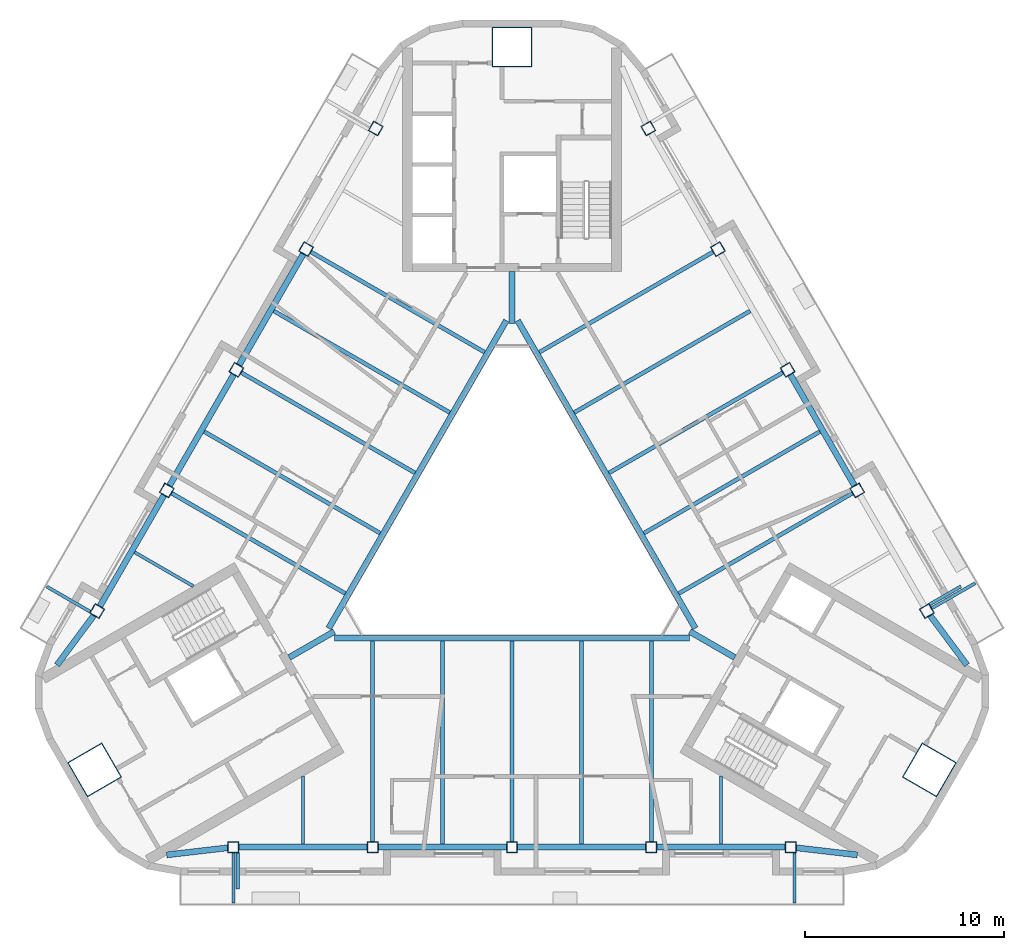
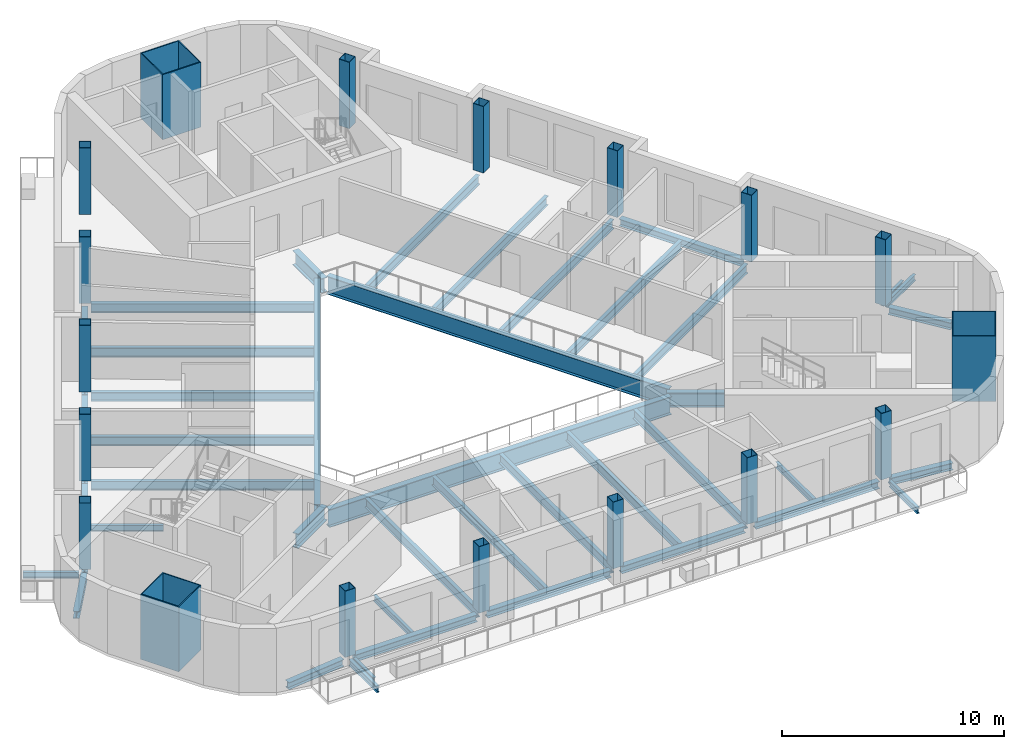
# One storey, part 1 of 12: 42 beams, 18 columns.
"""IFC4 building model written with IfcOpenShell, lengths in metres."""

from ifc_helpers import new_model, si_unit, direction, frame, origin, origin_2d, place, context, subcontext, project, spatial, rectangle, hollow_rectangle, i_section, extrude, boolean, halfspace, material, material_profile, profile_set, type_object, element, save


model = new_model("IFC4")

# Units and contexts
model_context = context("Model", 3, precision=1e-05, world=origin(), true_north=direction((0.0, 1.0)))
body_context = subcontext(model_context, "Body", "Model", "MODEL_VIEW")
ifc_project = project(units=[si_unit("LENGTHUNIT", "METRE"), si_unit("AREAUNIT", "SQUARE_METRE"), si_unit("VOLUMEUNIT", "CUBIC_METRE"), si_unit("PLANEANGLEUNIT", "RADIAN"), si_unit("MASSUNIT", "GRAM", prefix="KILO")], contexts=[model_context])

# Site, building, storey
site_placement = place(None, origin())
site = spatial("IfcSite", under=ifc_project, at=site_placement, CompositionType="ELEMENT")
building_placement = place(site_placement, origin())
building = spatial("IfcBuilding", under=site, at=building_placement, Name="Apuvela Tower Hotel", CompositionType="ELEMENT")
storey_placement = place(building_placement, frame((0.0, 0.0, 294.800048828125)))
storey = spatial("IfcBuildingStorey", under=building, at=storey_placement, Name="L73", CompositionType="ELEMENT", Elevation=294.800048828125)

# Columns
ifc_material_1 = material(Name="Steel S460", Category="steel")
ifc_material_profile_1 = material_profile(ifc_material_1, hollow_rectangle(XDim=2.0, YDim=2.0, WallThickness=0.050048828125, at=origin_2d()), Name="BOX 2000x2000x50")
ifc_material_2 = material(Name="Concrete C80/95", Category="concrete")
ifc_material_profile_2 = material_profile(ifc_material_2, rectangle(XDim=1.89990234375, YDim=1.89990234375, at=origin_2d()), Name="Concrete C80/95 infill")
ifc_profile_set_1 = profile_set([ifc_material_profile_1, ifc_material_profile_2], Name="Steel S460")
column_type_1 = type_object("IfcColumnType", Name="STR-MC mega column BOX 2000x2000x50", PredefinedType="COLUMN", material=ifc_profile_set_1)
for number, where, z_axis, x_axis, name in (
    (1, (0.0, 24.175048828125, 0.0), (0.0, 0.0, 1.0), (1.0, 0.0, 0.0), "Mega column MC4 N"),
    (2, (-20.936279296875, -12.08740234375, 0.0), (0.0, 0.0, 1.0), (-0.5, 0.866025403784, 0.0), "Mega column MC4 SW"),
    (3, (20.936279296875, -12.08740234375, 0.0), (0.0, 0.0, 1.0), (0.5, 0.866025403784, 0.0), "Mega column MC4 SE"),
):
    element("IfcColumn", number, at=place(storey_placement, frame(where, z_axis=z_axis, x_axis=x_axis)), inside=storey, type_object=column_type_1, Name=name, PredefinedType="COLUMN", context=body_context, shape_type="SweptSolid", body=[
        boolean("DIFFERENCE", extrude(hollow_rectangle(XDim=2.0, YDim=2.0, WallThickness=0.050048828125, at=origin_2d()), origin(), (0.0, 0.0, 1.0), 3.699951171875), halfspace(frame((0.0, 0.0, 3.586669921875), z_axis=(0.0, 0.0, 1.0), x_axis=(1.0, 0.0, 0.0)), False)),
    ])
ifc_material_profile_3 = material_profile(ifc_material_1, hollow_rectangle(XDim=0.550048828125, YDim=0.550048828125, WallThickness=0.02490234375, at=origin_2d()), Name="BOX 550x550x25")
ifc_material_profile_4 = material_profile(ifc_material_2, rectangle(XDim=0.5, YDim=0.5, at=origin_2d()), Name="Concrete C80/95 infill")
ifc_profile_set_2 = profile_set([ifc_material_profile_3, ifc_material_profile_4], Name="Steel S460")
column_type_2 = type_object("IfcColumnType", Name="STR-PC perimeter column BOX 550x550x25", PredefinedType="COLUMN", material=ifc_profile_set_2)
column_1_placement = place(storey_placement, frame((-13.97412109375, -15.961669921875, 0.0), z_axis=(0.0, 0.0, 1.0), x_axis=(-1.0, 0.0, 0.0)))
element("IfcColumn", 4, at=column_1_placement, inside=storey, type_object=column_type_2, Name="Perimeter column C7 S1", PredefinedType="COLUMN", context=body_context, shape_type="SweptSolid", body=[
    boolean("DIFFERENCE", extrude(hollow_rectangle(XDim=0.550048828125, YDim=0.550048828125, WallThickness=0.02490234375, at=origin_2d()), origin(), (0.0, 0.0, 1.0), 3.699951171875), halfspace(frame((0.0, 0.0, 3.66015625), z_axis=(0.0, 0.0, 1.0), x_axis=(1.0, 0.0, 0.0)), False)),
])
column_2_placement = place(storey_placement, frame((-6.987060546875, -15.961669921875, 0.0), z_axis=(0.0, 0.0, 1.0), x_axis=(-1.0, 0.0, 0.0)))
element("IfcColumn", 5, at=column_2_placement, inside=storey, type_object=column_type_2, Name="Perimeter column C7 S2", PredefinedType="COLUMN", context=body_context, shape_type="SweptSolid", body=[
    boolean("DIFFERENCE", extrude(hollow_rectangle(XDim=0.550048828125, YDim=0.550048828125, WallThickness=0.02490234375, at=origin_2d()), origin(), (0.0, 0.0, 1.0), 3.699951171875), halfspace(frame((0.0, 0.0, 3.666015625), z_axis=(0.0, 0.0, 1.0), x_axis=(1.0, 0.0, 0.0)), False)),
])
column_3_placement = place(storey_placement, frame((0.0, -15.961669921875, 0.0), z_axis=(0.0, 0.0, 1.0), x_axis=(-1.0, 0.0, 0.0)))
element("IfcColumn", 6, at=column_3_placement, inside=storey, type_object=column_type_2, Name="Perimeter column C7 S3", PredefinedType="COLUMN", context=body_context, shape_type="SweptSolid", body=[
    boolean("DIFFERENCE", extrude(hollow_rectangle(XDim=0.550048828125, YDim=0.550048828125, WallThickness=0.02490234375, at=origin_2d()), origin(), (0.0, 0.0, 1.0), 3.699951171875), halfspace(frame((0.0, 0.0, 3.66845703125), z_axis=(0.0, 0.0, 1.0), x_axis=(1.0, 0.0, 0.0)), False)),
])
column_4_placement = place(storey_placement, frame((6.987060546875, -15.961669921875, 0.0), z_axis=(0.0, 0.0, 1.0), x_axis=(-1.0, 0.0, 0.0)))
element("IfcColumn", 7, at=column_4_placement, inside=storey, type_object=column_type_2, Name="Perimeter column C7 S4", PredefinedType="COLUMN", context=body_context, shape_type="SweptSolid", body=[
    boolean("DIFFERENCE", extrude(hollow_rectangle(XDim=0.550048828125, YDim=0.550048828125, WallThickness=0.02490234375, at=origin_2d()), origin(), (0.0, 0.0, 1.0), 3.699951171875), halfspace(frame((0.0, 0.0, 3.666015625), z_axis=(0.0, 0.0, 1.0), x_axis=(1.0, 0.0, 0.0)), False)),
])
for number, where, z_axis, x_axis, name in (
    (8, (13.97412109375, -15.961669921875, 0.0), (0.0, 0.0, 1.0), (-1.0, 0.0, 0.0), "Perimeter column C7 S5"),
    (9, (20.810302734375, -4.12109375, 0.0), (0.0, 0.0, 1.0), (-0.5, 0.866025403784, 0.0), "Perimeter column C7 NE1"),
):
    element("IfcColumn", number, at=place(storey_placement, frame(where, z_axis=z_axis, x_axis=x_axis)), inside=storey, type_object=column_type_2, Name=name, PredefinedType="COLUMN", context=body_context, shape_type="SweptSolid", body=[
        boolean("DIFFERENCE", extrude(hollow_rectangle(XDim=0.550048828125, YDim=0.550048828125, WallThickness=0.02490234375, at=origin_2d()), origin(), (0.0, 0.0, 1.0), 3.699951171875), halfspace(frame((0.0, 0.0, 3.66015625), z_axis=(0.0, 0.0, 1.0), x_axis=(1.0, 0.0, 0.0)), False)),
    ])
column_5_placement = place(storey_placement, frame((17.316650390625, 1.9296875, 0.0), z_axis=(0.0, 0.0, 1.0), x_axis=(-0.5, 0.866025403784, 0.0)))
element("IfcColumn", 10, at=column_5_placement, inside=storey, type_object=column_type_2, Name="Perimeter column C7 NE2", PredefinedType="COLUMN", context=body_context, shape_type="SweptSolid", body=[
    boolean("DIFFERENCE", extrude(hollow_rectangle(XDim=0.550048828125, YDim=0.550048828125, WallThickness=0.02490234375, at=origin_2d()), origin(), (0.0, 0.0, 1.0), 3.699951171875), halfspace(frame((0.0, 0.0, 3.666015625), z_axis=(0.0, 0.0, 1.0), x_axis=(1.0, 0.0, 0.0)), False)),
])
column_6_placement = place(storey_placement, frame((13.8232421875, 7.980712890625, 0.0), z_axis=(0.0, 0.0, 1.0), x_axis=(-0.5, 0.866025403784, 0.0)))
element("IfcColumn", 11, at=column_6_placement, inside=storey, type_object=column_type_2, Name="Perimeter column C7 NE3", PredefinedType="COLUMN", context=body_context, shape_type="SweptSolid", body=[
    boolean("DIFFERENCE", extrude(hollow_rectangle(XDim=0.550048828125, YDim=0.550048828125, WallThickness=0.02490234375, at=origin_2d()), origin(), (0.0, 0.0, 1.0), 3.699951171875), halfspace(frame((0.0, 0.0, 3.66845703125), z_axis=(0.0, 0.0, 1.0), x_axis=(1.0, 0.0, 0.0)), False)),
])
column_7_placement = place(storey_placement, frame((10.32958984375, 14.03173828125, 0.0), z_axis=(0.0, 0.0, 1.0), x_axis=(-0.5, 0.866025403784, 0.0)))
element("IfcColumn", 12, at=column_7_placement, inside=storey, type_object=column_type_2, Name="Perimeter column C7 NE4", PredefinedType="COLUMN", context=body_context, shape_type="SweptSolid", body=[
    boolean("DIFFERENCE", extrude(hollow_rectangle(XDim=0.550048828125, YDim=0.550048828125, WallThickness=0.02490234375, at=origin_2d()), origin(), (0.0, 0.0, 1.0), 3.699951171875), halfspace(frame((0.0, 0.0, 3.666015625), z_axis=(0.0, 0.0, 1.0), x_axis=(1.0, 0.0, 0.0)), False)),
])
for number, where, z_axis, x_axis, name in (
    (13, (6.836181640625, 20.0830078125, 0.0), (0.0, 0.0, 1.0), (-0.5, 0.866025403784, 0.0), "Perimeter column C7 NE5"),
    (14, (-6.836181640625, 20.0830078125, 0.0), (0.0, 0.0, 1.0), (0.5, 0.866025403784, 0.0), "Perimeter column C7 NW1"),
):
    element("IfcColumn", number, at=place(storey_placement, frame(where, z_axis=z_axis, x_axis=x_axis)), inside=storey, type_object=column_type_2, Name=name, PredefinedType="COLUMN", context=body_context, shape_type="SweptSolid", body=[
        boolean("DIFFERENCE", extrude(hollow_rectangle(XDim=0.550048828125, YDim=0.550048828125, WallThickness=0.02490234375, at=origin_2d()), origin(), (0.0, 0.0, 1.0), 3.699951171875), halfspace(frame((0.0, 0.0, 3.66015625), z_axis=(0.0, 0.0, 1.0), x_axis=(1.0, 0.0, 0.0)), False)),
    ])
column_8_placement = place(storey_placement, frame((-10.32958984375, 14.03173828125, 0.0), z_axis=(0.0, 0.0, 1.0), x_axis=(0.5, 0.866025403784, 0.0)))
element("IfcColumn", 15, at=column_8_placement, inside=storey, type_object=column_type_2, Name="Perimeter column C7 NW2", PredefinedType="COLUMN", context=body_context, shape_type="SweptSolid", body=[
    boolean("DIFFERENCE", extrude(hollow_rectangle(XDim=0.550048828125, YDim=0.550048828125, WallThickness=0.02490234375, at=origin_2d()), origin(), (0.0, 0.0, 1.0), 3.699951171875), halfspace(frame((0.0, 0.0, 3.666015625), z_axis=(0.0, 0.0, 1.0), x_axis=(1.0, 0.0, 0.0)), False)),
])
column_9_placement = place(storey_placement, frame((-13.8232421875, 7.980712890625, 0.0), z_axis=(0.0, 0.0, 1.0), x_axis=(0.5, 0.866025403784, 0.0)))
element("IfcColumn", 16, at=column_9_placement, inside=storey, type_object=column_type_2, Name="Perimeter column C7 NW3", PredefinedType="COLUMN", context=body_context, shape_type="SweptSolid", body=[
    boolean("DIFFERENCE", extrude(hollow_rectangle(XDim=0.550048828125, YDim=0.550048828125, WallThickness=0.02490234375, at=origin_2d()), origin(), (0.0, 0.0, 1.0), 3.699951171875), halfspace(frame((0.0, 0.0, 3.66845703125), z_axis=(0.0, 0.0, 1.0), x_axis=(1.0, 0.0, 0.0)), False)),
])
column_10_placement = place(storey_placement, frame((-17.316650390625, 1.9296875, 0.0), z_axis=(0.0, 0.0, 1.0), x_axis=(0.5, 0.866025403784, 0.0)))
element("IfcColumn", 17, at=column_10_placement, inside=storey, type_object=column_type_2, Name="Perimeter column C7 NW4", PredefinedType="COLUMN", context=body_context, shape_type="SweptSolid", body=[
    boolean("DIFFERENCE", extrude(hollow_rectangle(XDim=0.550048828125, YDim=0.550048828125, WallThickness=0.02490234375, at=origin_2d()), origin(), (0.0, 0.0, 1.0), 3.699951171875), halfspace(frame((0.0, 0.0, 3.666015625), z_axis=(0.0, 0.0, 1.0), x_axis=(1.0, 0.0, 0.0)), False)),
])
column_11_placement = place(storey_placement, frame((-20.810302734375, -4.12109375, 0.0), z_axis=(0.0, 0.0, 1.0), x_axis=(0.5, 0.866025403784, 0.0)))
element("IfcColumn", 18, at=column_11_placement, inside=storey, type_object=column_type_2, Name="Perimeter column C7 NW5", PredefinedType="COLUMN", context=body_context, shape_type="SweptSolid", body=[
    boolean("DIFFERENCE", extrude(hollow_rectangle(XDim=0.550048828125, YDim=0.550048828125, WallThickness=0.02490234375, at=origin_2d()), origin(), (0.0, 0.0, 1.0), 3.699951171875), halfspace(frame((0.0, 0.0, 3.66015625), z_axis=(0.0, 0.0, 1.0), x_axis=(1.0, 0.0, 0.0)), False)),
])

# Beams
ifc_material_3 = material(Name="Steel S355", Category="steel")
ifc_material_profile_5 = material_profile(ifc_material_3, i_section(OverallWidth=0.159912109375, OverallDepth=0.330078125, WebThickness=0.007568359375, FlangeThickness=0.011474609375, at=origin_2d()), Name="IPE 330")
ifc_profile_set_3 = profile_set([ifc_material_profile_5], Name="Steel S355")
beam_type_1 = type_object("IfcBeamType", Name="ENV-BALCONY-BEAM-IPE330", PredefinedType="BEAM", material=ifc_profile_set_3)
beam_1_placement = place(storey_placement, frame((-13.97412109375, -16.236572265625, -0.31494140625), z_axis=(0.0, -1.0, 0.0), x_axis=(1.0, 0.0, 0.0)))
element("IfcBeam", 19, at=beam_1_placement, inside=storey, type_object=beam_type_1, Name="Balcony cantilever beam S1 L73", PredefinedType="BEAM", context=body_context, shape_type="SweptSolid", body=[
    extrude(i_section(OverallWidth=0.159912109375, OverallDepth=0.330078125, WebThickness=0.007568359375, FlangeThickness=0.011474609375, at=origin_2d()), origin(), (0.0, 0.0, 1.0), 2.525146484375),
])
beam_2_placement = place(storey_placement, frame((-13.754150390625, -16.236572265625, -0.31494140625), z_axis=(0.0, -1.0, 0.0), x_axis=(1.0, 0.0, 0.0)))
element("IfcBeam", 20, at=beam_2_placement, inside=storey, type_object=beam_type_1, Name="Balcony cantilever beam S2 L73", PredefinedType="BEAM", context=body_context, shape_type="SweptSolid", body=[
    extrude(i_section(OverallWidth=0.159912109375, OverallDepth=0.330078125, WebThickness=0.007568359375, FlangeThickness=0.011474609375, at=origin_2d()), origin(), (0.0, 0.0, 1.0), 1.824951171875),
])
beam_3_placement = place(storey_placement, frame((14.17431640625, -16.236572265625, -0.31494140625), z_axis=(0.0, -1.0, 0.0), x_axis=(1.0, 0.0, 0.0)))
element("IfcBeam", 21, at=beam_3_placement, inside=storey, type_object=beam_type_1, Name="Balcony cantilever beam S3 L73", PredefinedType="BEAM", context=body_context, shape_type="SweptSolid", body=[
    extrude(i_section(OverallWidth=0.159912109375, OverallDepth=0.330078125, WebThickness=0.007568359375, FlangeThickness=0.011474609375, at=origin_2d()), origin(), (0.0, 0.0, 1.0), 2.525146484375),
])
beam_4_placement = place(storey_placement, frame((21.048583984375, -3.983642578125, -0.31494140625), z_axis=(0.866014894461, 0.50001820224, 0.0), x_axis=(-0.50001820224, 0.866014894461, 0.0)))
element("IfcBeam", 22, at=beam_4_placement, inside=storey, type_object=beam_type_1, Name="Balcony cantilever beam NE1 L73", PredefinedType="BEAM", context=body_context, shape_type="SweptSolid", body=[
    extrude(i_section(OverallWidth=0.159912109375, OverallDepth=0.330078125, WebThickness=0.007568359375, FlangeThickness=0.011474609375, at=origin_2d()), origin(), (0.0, 0.0, 1.0), 2.52490234375),
])
beam_5_placement = place(storey_placement, frame((20.9384765625, -3.793212890625, -0.31494140625), z_axis=(0.866011828767, 0.500023511883, 0.0), x_axis=(-0.500023511883, 0.866011828767, 0.0)))
element("IfcBeam", 23, at=beam_5_placement, inside=storey, type_object=beam_type_1, Name="Balcony cantilever beam NE2 L73", PredefinedType="BEAM", context=body_context, shape_type="SweptSolid", body=[
    extrude(i_section(OverallWidth=0.159912109375, OverallDepth=0.330078125, WebThickness=0.007568359375, FlangeThickness=0.011474609375, at=origin_2d()), origin(), (0.0, 0.0, 1.0), 1.8251953125),
])
beam_6_placement = place(storey_placement, frame((-21.1484375, -4.156982421875, -0.31494140625), z_axis=(-0.865997200291, 0.500048846702, 0.0), x_axis=(-0.500048846702, -0.865997200291, 0.0)))
element("IfcBeam", 24, at=beam_6_placement, inside=storey, type_object=beam_type_1, Name="Balcony cantilever beam NW3 L73", PredefinedType="BEAM", context=body_context, shape_type="SweptSolid", body=[
    extrude(i_section(OverallWidth=0.159912109375, OverallDepth=0.330078125, WebThickness=0.007568359375, FlangeThickness=0.011474609375, at=origin_2d()), origin(), (0.0, 0.0, 1.0), 2.525146484375),
])
ifc_material_profile_6 = material_profile(ifc_material_3, i_section(OverallWidth=0.159912109375, OverallDepth=0.330078125, WebThickness=0.007568359375, FlangeThickness=0.011474609375, at=origin_2d()), Name="IPE 330")
ifc_profile_set_4 = profile_set([ifc_material_profile_6], Name="Steel S355")
beam_type_2 = type_object("IfcBeamType", Name="STR-B floor beam IPE 330", PredefinedType="BEAM", material=ifc_profile_set_4)
for number, where, z_axis, x_axis, name in (
    (25, (-18.93359375, -1.170654296875, -0.31494140625), (0.866027000698, -0.499997234054, 0.0), (0.499997234054, 0.866027000698, 0.0), "Floor beam B1 NW8"),
    (26, (-10.480712890625, -15.8115234375, -0.31494140625), (0.0, 1.0, 0.0), (-1.0, 0.0, 0.0), "Floor beam B1 S2"),
    (27, (10.480712890625, -15.8115234375, -0.31494140625), (0.0, 1.0, 0.0), (-1.0, 0.0, 0.0), "Floor beam B1 S8"),
):
    element("IfcBeam", number, at=place(storey_placement, frame(where, z_axis=z_axis, x_axis=x_axis)), inside=storey, type_object=beam_type_2, Name=name, PredefinedType="BEAM", context=body_context, shape_type="SweptSolid", body=[
        extrude(i_section(OverallWidth=0.159912109375, OverallDepth=0.330078125, WebThickness=0.007568359375, FlangeThickness=0.011474609375, at=origin_2d()), origin(), (0.0, 0.0, 1.0), 3.40966796875),
    ])
ifc_material_profile_7 = material_profile(ifc_material_3, i_section(OverallWidth=0.199951171875, OverallDepth=0.5, WebThickness=0.01025390625, FlangeThickness=0.01611328125, at=origin_2d()), Name="IPE 500")
ifc_profile_set_5 = profile_set([ifc_material_profile_7], Name="Steel S355")
beam_type_3 = type_object("IfcBeamType", Name="STR-B floor beam IPE 500", PredefinedType="BEAM", material=ifc_profile_set_5)
beam_7_placement = place(storey_placement, frame((17.07861328125, 1.792236328125, -0.400146484375), z_axis=(-0.866031712701, -0.499989072476, 0.0), x_axis=(0.499989072476, -0.866031712701, 0.0)))
element("IfcBeam", 28, at=beam_7_placement, inside=storey, type_object=beam_type_3, Name="Floor beam B3 NE3", PredefinedType="BEAM", context=body_context, shape_type="SweptSolid", body=[
    extrude(i_section(OverallWidth=0.199951171875, OverallDepth=0.5, WebThickness=0.01025390625, FlangeThickness=0.01611328125, at=origin_2d()), origin(), (0.0, 0.0, 1.0), 10.066650390625),
])
beam_8_placement = place(storey_placement, frame((15.440185546875, 4.88037109375, -0.400146484375), z_axis=(-0.866024825845, -0.50000100102, 0.0), x_axis=(0.50000100102, -0.866024825845, 0.0)))
element("IfcBeam", 29, at=beam_8_placement, inside=storey, type_object=beam_type_3, Name="Floor beam B3 NE4", PredefinedType="BEAM", context=body_context, shape_type="SweptSolid", body=[
    extrude(i_section(OverallWidth=0.199951171875, OverallDepth=0.5, WebThickness=0.01025390625, FlangeThickness=0.01611328125, at=origin_2d()), origin(), (0.0, 0.0, 1.0), 10.19189453125),
])
beam_9_placement = place(storey_placement, frame((13.5849609375, 7.84326171875, -0.400146484375), z_axis=(-0.866025649656, -0.499999574138, 0.0), x_axis=(0.499999574138, -0.866025649656, 0.0)))
element("IfcBeam", 30, at=beam_9_placement, inside=storey, type_object=beam_type_3, Name="Floor beam B3 NE5", PredefinedType="BEAM", context=body_context, shape_type="SweptSolid", body=[
    extrude(i_section(OverallWidth=0.199951171875, OverallDepth=0.5, WebThickness=0.01025390625, FlangeThickness=0.01611328125, at=origin_2d()), origin(), (0.0, 0.0, 1.0), 10.06640625),
])
beam_10_placement = place(storey_placement, frame((11.946533203125, 10.931396484375, -0.400146484375), z_axis=(-0.866018837025, -0.500011373789, 0.0), x_axis=(0.500011373789, -0.866018837025, 0.0)))
element("IfcBeam", 31, at=beam_10_placement, inside=storey, type_object=beam_type_3, Name="Floor beam B3 NE6", PredefinedType="BEAM", context=body_context, shape_type="SweptSolid", body=[
    extrude(i_section(OverallWidth=0.199951171875, OverallDepth=0.5, WebThickness=0.01025390625, FlangeThickness=0.01611328125, at=origin_2d()), origin(), (0.0, 0.0, 1.0), 10.191650390625),
])
for number, where, z_axis, x_axis, name in (
    (32, (10.091552734375, 13.894287109375, -0.400146484375), (-0.866031712701, -0.499989072476, 0.0), (0.499989072476, -0.866031712701, 0.0), "Floor beam B3 NE7"),
    (33, (-10.091552734375, 13.894287109375, -0.400146484375), (0.866031712701, -0.499989072476, 0.0), (0.499989072476, 0.866031712701, 0.0), "Floor beam B3 NW3"),
):
    element("IfcBeam", number, at=place(storey_placement, frame(where, z_axis=z_axis, x_axis=x_axis)), inside=storey, type_object=beam_type_3, Name=name, PredefinedType="BEAM", context=body_context, shape_type="SweptSolid", body=[
        extrude(i_section(OverallWidth=0.199951171875, OverallDepth=0.5, WebThickness=0.01025390625, FlangeThickness=0.01611328125, at=origin_2d()), origin(), (0.0, 0.0, 1.0), 10.066650390625),
    ])
beam_11_placement = place(storey_placement, frame((-11.946533203125, 10.931396484375, -0.400146484375), z_axis=(0.866018837025, -0.500011373789, 0.0), x_axis=(0.500011373789, 0.866018837025, 0.0)))
element("IfcBeam", 34, at=beam_11_placement, inside=storey, type_object=beam_type_3, Name="Floor beam B3 NW4", PredefinedType="BEAM", context=body_context, shape_type="SweptSolid", body=[
    extrude(i_section(OverallWidth=0.199951171875, OverallDepth=0.5, WebThickness=0.01025390625, FlangeThickness=0.01611328125, at=origin_2d()), origin(), (0.0, 0.0, 1.0), 10.191650390625),
])
beam_12_placement = place(storey_placement, frame((-13.5849609375, 7.84326171875, -0.400146484375), z_axis=(0.866025649656, -0.499999574138, 0.0), x_axis=(0.499999574138, 0.866025649656, 0.0)))
element("IfcBeam", 35, at=beam_12_placement, inside=storey, type_object=beam_type_3, Name="Floor beam B3 NW5", PredefinedType="BEAM", context=body_context, shape_type="SweptSolid", body=[
    extrude(i_section(OverallWidth=0.199951171875, OverallDepth=0.5, WebThickness=0.01025390625, FlangeThickness=0.01611328125, at=origin_2d()), origin(), (0.0, 0.0, 1.0), 10.06640625),
])
beam_13_placement = place(storey_placement, frame((-15.440185546875, 4.88037109375, -0.400146484375), z_axis=(0.866024825845, -0.50000100102, 0.0), x_axis=(0.50000100102, 0.866024825845, 0.0)))
element("IfcBeam", 36, at=beam_13_placement, inside=storey, type_object=beam_type_3, Name="Floor beam B3 NW6", PredefinedType="BEAM", context=body_context, shape_type="SweptSolid", body=[
    extrude(i_section(OverallWidth=0.199951171875, OverallDepth=0.5, WebThickness=0.01025390625, FlangeThickness=0.01611328125, at=origin_2d()), origin(), (0.0, 0.0, 1.0), 10.19189453125),
])
beam_14_placement = place(storey_placement, frame((-17.07861328125, 1.792236328125, -0.400146484375), z_axis=(0.866031712701, -0.499989072476, 0.0), x_axis=(0.499989072476, 0.866031712701, 0.0)))
element("IfcBeam", 37, at=beam_14_placement, inside=storey, type_object=beam_type_3, Name="Floor beam B3 NW7", PredefinedType="BEAM", context=body_context, shape_type="SweptSolid", body=[
    extrude(i_section(OverallWidth=0.199951171875, OverallDepth=0.5, WebThickness=0.01025390625, FlangeThickness=0.01611328125, at=origin_2d()), origin(), (0.0, 0.0, 1.0), 10.066650390625),
])
beam_15_placement = place(storey_placement, frame((-6.987060546875, -15.6865234375, -0.400146484375), z_axis=(0.0, 1.0, 0.0), x_axis=(-1.0, 0.0, 0.0)))
element("IfcBeam", 38, at=beam_15_placement, inside=storey, type_object=beam_type_3, Name="Floor beam B3 S3", PredefinedType="BEAM", context=body_context, shape_type="SweptSolid", body=[
    extrude(i_section(OverallWidth=0.199951171875, OverallDepth=0.5, WebThickness=0.01025390625, FlangeThickness=0.01611328125, at=origin_2d()), origin(), (0.0, 0.0, 1.0), 10.06640625),
])
beam_16_placement = place(storey_placement, frame((-3.49365234375, -15.8115234375, -0.400146484375), z_axis=(0.0, 1.0, 0.0), x_axis=(-1.0, 0.0, 0.0)))
element("IfcBeam", 39, at=beam_16_placement, inside=storey, type_object=beam_type_3, Name="Floor beam B3 S4", PredefinedType="BEAM", context=body_context, shape_type="SweptSolid", body=[
    extrude(i_section(OverallWidth=0.199951171875, OverallDepth=0.5, WebThickness=0.01025390625, FlangeThickness=0.01611328125, at=origin_2d()), origin(), (0.0, 0.0, 1.0), 10.19140625),
])
beam_17_placement = place(storey_placement, frame((0.0, -15.6865234375, -0.400146484375), z_axis=(0.0, 1.0, 0.0), x_axis=(-1.0, 0.0, 0.0)))
element("IfcBeam", 40, at=beam_17_placement, inside=storey, type_object=beam_type_3, Name="Floor beam B3 S5", PredefinedType="BEAM", context=body_context, shape_type="SweptSolid", body=[
    extrude(i_section(OverallWidth=0.199951171875, OverallDepth=0.5, WebThickness=0.01025390625, FlangeThickness=0.01611328125, at=origin_2d()), origin(), (0.0, 0.0, 1.0), 10.06640625),
])
beam_18_placement = place(storey_placement, frame((3.49365234375, -15.8115234375, -0.400146484375), z_axis=(0.0, 1.0, 0.0), x_axis=(-1.0, 0.0, 0.0)))
element("IfcBeam", 41, at=beam_18_placement, inside=storey, type_object=beam_type_3, Name="Floor beam B3 S6", PredefinedType="BEAM", context=body_context, shape_type="SweptSolid", body=[
    extrude(i_section(OverallWidth=0.199951171875, OverallDepth=0.5, WebThickness=0.01025390625, FlangeThickness=0.01611328125, at=origin_2d()), origin(), (0.0, 0.0, 1.0), 10.19140625),
])
beam_19_placement = place(storey_placement, frame((6.987060546875, -15.6865234375, -0.400146484375), z_axis=(0.0, 1.0, 0.0), x_axis=(-1.0, 0.0, 0.0)))
element("IfcBeam", 42, at=beam_19_placement, inside=storey, type_object=beam_type_3, Name="Floor beam B3 S7", PredefinedType="BEAM", context=body_context, shape_type="SweptSolid", body=[
    extrude(i_section(OverallWidth=0.199951171875, OverallDepth=0.5, WebThickness=0.01025390625, FlangeThickness=0.01611328125, at=origin_2d()), origin(), (0.0, 0.0, 1.0), 10.06640625),
])
ifc_material_profile_8 = material_profile(ifc_material_3, i_section(OverallWidth=0.300048828125, OverallDepth=0.989990234375, WebThickness=0.0166015625, FlangeThickness=0.031005859375, at=origin_2d()), Name="HE 1000 A")
ifc_profile_set_6 = profile_set([ifc_material_profile_8], Name="Steel S355")
beam_type_4 = type_object("IfcBeamType", Name="STR-G atrium ring girder HE 1000 A", PredefinedType="BEAM", material=ifc_profile_set_6)
beam_20_placement = place(storey_placement, frame((-0.27978515625, 10.455078125, -0.64501953125), z_axis=(-0.500006541319, -0.866021627119, 0.0), x_axis=(0.866021627119, -0.500006541319, 0.0)))
element("IfcBeam", 43, at=beam_20_placement, inside=storey, type_object=beam_type_4, Name="Atrium ring girder G3 N-SW", PredefinedType="BEAM", context=body_context, shape_type="SweptSolid", body=[
    extrude(i_section(OverallWidth=0.300048828125, OverallDepth=0.989990234375, WebThickness=0.0166015625, FlangeThickness=0.031005859375, at=origin_2d()), origin(), (0.0, 0.0, 1.0), 17.828857421875),
])
beam_21_placement = place(storey_placement, frame((-8.91455078125, -5.469970703125, -0.64501953125), z_axis=(1.0, 0.0, 0.0), x_axis=(0.0, 1.0, 0.0)))
element("IfcBeam", 44, at=beam_21_placement, inside=storey, type_object=beam_type_4, Name="Atrium ring girder G3 SW-SE", PredefinedType="BEAM", context=body_context, shape_type="SweptSolid", body=[
    extrude(i_section(OverallWidth=0.300048828125, OverallDepth=0.989990234375, WebThickness=0.0166015625, FlangeThickness=0.031005859375, at=origin_2d()), origin(), (0.0, 0.0, 1.0), 17.8291015625),
])
beam_22_placement = place(storey_placement, frame((9.1943359375, -4.985107421875, -0.64501953125), z_axis=(-0.500006541319, 0.866021627119, 0.0), x_axis=(-0.866021627119, -0.500006541319, 0.0)))
element("IfcBeam", 45, at=beam_22_placement, inside=storey, type_object=beam_type_4, Name="Atrium ring girder G3 SE-N", PredefinedType="BEAM", context=body_context, shape_type="SweptSolid", body=[
    extrude(i_section(OverallWidth=0.300048828125, OverallDepth=0.989990234375, WebThickness=0.0166015625, FlangeThickness=0.031005859375, at=origin_2d()), origin(), (0.0, 0.0, 1.0), 17.828857421875),
])
ifc_material_profile_9 = material_profile(ifc_material_3, i_section(OverallWidth=0.300048828125, OverallDepth=0.800048828125, WebThickness=0.017578125, FlangeThickness=0.032958984375, at=origin_2d()), Name="HE 800 B")
ifc_profile_set_7 = profile_set([ifc_material_profile_9], Name="Steel S355")
beam_type_5 = type_object("IfcBeamType", Name="STR-GT core tie beam HE 800 B", PredefinedType="BEAM", material=ifc_profile_set_7)
for number, where, z_axis, x_axis, name in (
    (46, (0.0, 12.89990234375, -0.550048828125), (0.0, -1.0, 0.0), (1.0, 0.0, 0.0), "Core tie beam GT1 N"),
    (47, (-11.171630859375, -6.449951171875, -0.550048828125), (0.865997922154, 0.500047596559, 0.0), (-0.500047596559, 0.865997922154, 0.0), "Core tie beam GT1 SW"),
    (48, (11.171630859375, -6.449951171875, -0.550048828125), (-0.865997922154, 0.500047596559, 0.0), (-0.500047596559, -0.865997922154, 0.0), "Core tie beam GT1 SE"),
):
    element("IfcBeam", number, at=place(storey_placement, frame(where, z_axis=z_axis, x_axis=x_axis)), inside=storey, type_object=beam_type_5, Name=name, PredefinedType="BEAM", context=body_context, shape_type="SweptSolid", body=[
        extrude(i_section(OverallWidth=0.300048828125, OverallDepth=0.800048828125, WebThickness=0.017578125, FlangeThickness=0.032958984375, at=origin_2d()), origin(), (0.0, 0.0, 1.0), 2.599853515625),
    ])
ifc_material_profile_10 = material_profile(ifc_material_3, i_section(OverallWidth=0.300048828125, OverallDepth=0.389892578125, WebThickness=0.010986328125, FlangeThickness=0.01904296875, at=origin_2d()), Name="HE 400 A")
ifc_profile_set_8 = profile_set([ifc_material_profile_10], Name="Steel S355")
beam_type_6 = type_object("IfcBeamType", Name="STR-SB spandrel beam HE 400 A", PredefinedType="SPANDREL", material=ifc_profile_set_8)
beam_23_placement = place(storey_placement, frame((-13.69921875, -15.961669921875, -0.344970703125), z_axis=(1.0, 0.0, 0.0), x_axis=(0.0, 1.0, 0.0)))
element("IfcBeam", 49, at=beam_23_placement, inside=storey, type_object=beam_type_6, Name="Spandrel beam SB4 S1", PredefinedType="SPANDREL", context=body_context, shape_type="SweptSolid", body=[
    extrude(i_section(OverallWidth=0.300048828125, OverallDepth=0.389892578125, WebThickness=0.010986328125, FlangeThickness=0.01904296875, at=origin_2d()), origin(), (0.0, 0.0, 1.0), 6.43701171875),
])
for number, where, z_axis, x_axis, name in (
    (50, (-6.712158203125, -15.961669921875, -0.344970703125), (1.0, 0.0, 0.0), (0.0, 1.0, 0.0), "Spandrel beam SB4 S2"),
    (51, (0.27490234375, -15.961669921875, -0.344970703125), (1.0, 0.0, 0.0), (0.0, 1.0, 0.0), "Spandrel beam SB4 S3"),
):
    element("IfcBeam", number, at=place(storey_placement, frame(where, z_axis=z_axis, x_axis=x_axis)), inside=storey, type_object=beam_type_6, Name=name, PredefinedType="SPANDREL", context=body_context, shape_type="SweptSolid", body=[
        extrude(i_section(OverallWidth=0.300048828125, OverallDepth=0.389892578125, WebThickness=0.010986328125, FlangeThickness=0.01904296875, at=origin_2d()), origin(), (0.0, 0.0, 1.0), 6.437255859375),
    ])
for number, where, z_axis, x_axis, name in (
    (52, (7.26220703125, -15.961669921875, -0.344970703125), (1.0, 0.0, 0.0), (0.0, 1.0, 0.0), "Spandrel beam SB4 S4"),
    (53, (17.17919921875, 2.16796875, -0.344970703125), (-0.499993854458, 0.866028951885, 0.0), (-0.866028951885, -0.499993854458, 0.0), "Spandrel beam SB4 NE2"),
):
    element("IfcBeam", number, at=place(storey_placement, frame(where, z_axis=z_axis, x_axis=x_axis)), inside=storey, type_object=beam_type_6, Name=name, PredefinedType="SPANDREL", context=body_context, shape_type="SweptSolid", body=[
        extrude(i_section(OverallWidth=0.300048828125, OverallDepth=0.389892578125, WebThickness=0.010986328125, FlangeThickness=0.01904296875, at=origin_2d()), origin(), (0.0, 0.0, 1.0), 6.43701171875),
    ])
beam_24_placement = place(storey_placement, frame((-10.467041015625, 13.793701171875, -0.344970703125), z_axis=(-0.500022299258, -0.866012528919, 0.0), x_axis=(0.866012528919, -0.500022299258, 0.0)))
element("IfcBeam", 54, at=beam_24_placement, inside=storey, type_object=beam_type_6, Name="Spandrel beam SB4 NW2", PredefinedType="SPANDREL", context=body_context, shape_type="SweptSolid", body=[
    extrude(i_section(OverallWidth=0.300048828125, OverallDepth=0.389892578125, WebThickness=0.010986328125, FlangeThickness=0.01904296875, at=origin_2d()), origin(), (0.0, 0.0, 1.0), 6.437255859375),
])
beam_25_placement = place(storey_placement, frame((-13.960693359375, 7.74267578125, -0.344970703125), z_axis=(-0.499993854458, -0.866028951885, 0.0), x_axis=(0.866028951885, -0.499993854458, 0.0)))
element("IfcBeam", 55, at=beam_25_placement, inside=storey, type_object=beam_type_6, Name="Spandrel beam SB4 NW3", PredefinedType="SPANDREL", context=body_context, shape_type="SweptSolid", body=[
    extrude(i_section(OverallWidth=0.300048828125, OverallDepth=0.389892578125, WebThickness=0.010986328125, FlangeThickness=0.01904296875, at=origin_2d()), origin(), (0.0, 0.0, 1.0), 6.43701171875),
])
beam_26_placement = place(storey_placement, frame((-17.4541015625, 1.691650390625, -0.344970703125), z_axis=(-0.500022299258, -0.866012528919, 0.0), x_axis=(0.866012528919, -0.500022299258, 0.0)))
element("IfcBeam", 56, at=beam_26_placement, inside=storey, type_object=beam_type_6, Name="Spandrel beam SB4 NW4", PredefinedType="SPANDREL", context=body_context, shape_type="SweptSolid", body=[
    extrude(i_section(OverallWidth=0.300048828125, OverallDepth=0.389892578125, WebThickness=0.010986328125, FlangeThickness=0.01904296875, at=origin_2d()), origin(), (0.0, 0.0, 1.0), 6.437255859375),
])
for number, where, z_axis, x_axis, name in (
    (57, (-14.249267578125, -15.99365234375, -0.344970703125), (-0.993313488875, -0.115448312325, 0.0), (0.115448312325, -0.993313488875, 0.0), "Spandrel beam SB4 S1-SW"),
    (58, (14.249267578125, -15.99365234375, -0.344970703125), (0.993313488875, -0.115448312325, 0.0), (0.115448312325, 0.993313488875, 0.0), "Spandrel beam SB4 S5-SE"),
):
    element("IfcBeam", number, at=place(storey_placement, frame(where, z_axis=z_axis, x_axis=x_axis)), inside=storey, type_object=beam_type_6, Name=name, PredefinedType="SPANDREL", context=body_context, shape_type="SweptSolid", body=[
        extrude(i_section(OverallWidth=0.300048828125, OverallDepth=0.389892578125, WebThickness=0.010986328125, FlangeThickness=0.01904296875, at=origin_2d()), origin(), (0.0, 0.0, 1.0), 3.091796875),
    ])
for number, where, z_axis, x_axis, name in (
    (59, (20.9755859375, -4.343505859375, -0.344970703125), (0.596684511874, -0.802475914461, 0.0), (0.802475914461, 0.596684511874, 0.0), "Spandrel beam SB4 NE1-SE"),
    (60, (-20.9755859375, -4.343505859375, -0.344970703125), (-0.596684511874, -0.802475914461, 0.0), (0.802475914461, -0.596684511874, 0.0), "Spandrel beam SB4 NW5-SW"),
):
    element("IfcBeam", number, at=place(storey_placement, frame(where, z_axis=z_axis, x_axis=x_axis)), inside=storey, type_object=beam_type_6, Name=name, PredefinedType="SPANDREL", context=body_context, shape_type="SweptSolid", body=[
        extrude(i_section(OverallWidth=0.300048828125, OverallDepth=0.389892578125, WebThickness=0.010986328125, FlangeThickness=0.01904296875, at=origin_2d()), origin(), (0.0, 0.0, 1.0), 3.091552734375),
    ])

save(model, "model.ifc")
